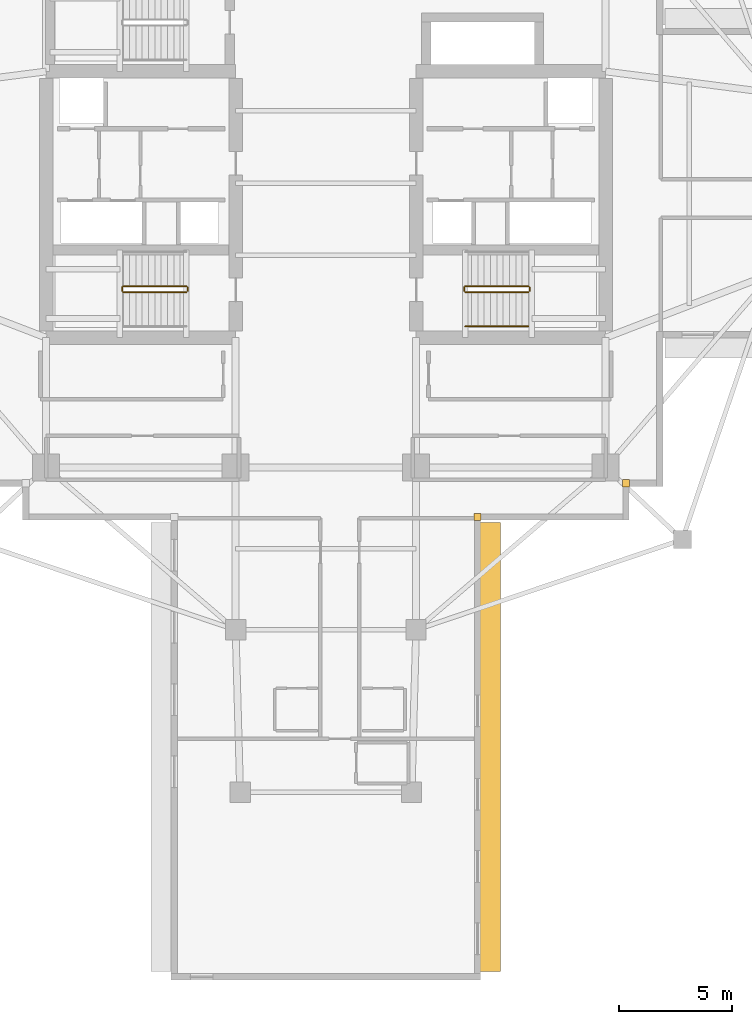
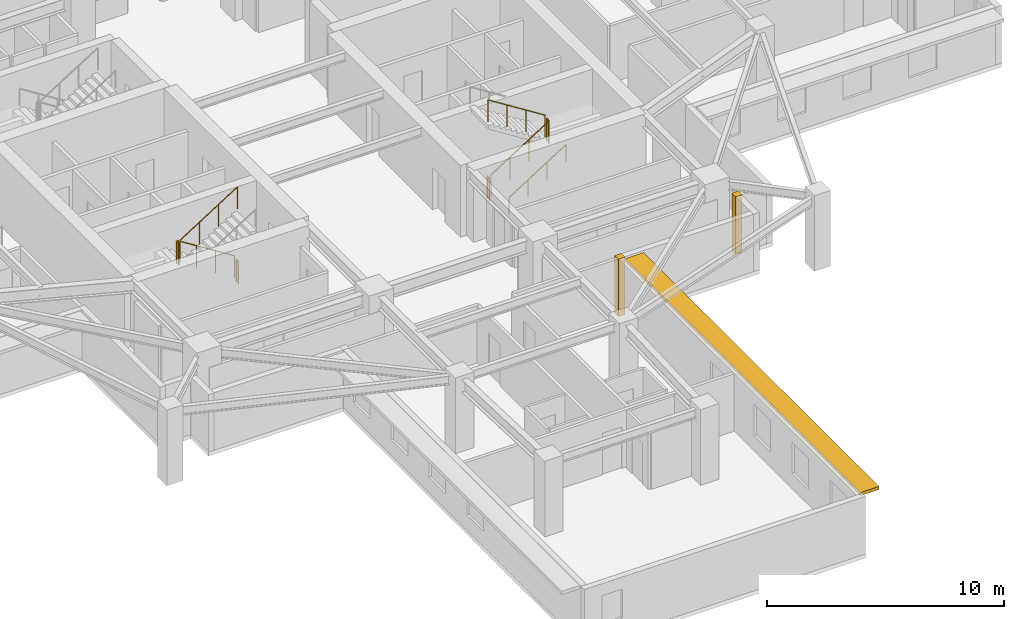
# One storey, part 10 of 13: 9 railings, 2 coverings, 1 shading device.
"""IFC4 building model written with IfcOpenShell, lengths in metres."""

from ifc_helpers import new_model, si_unit, direction, frame, origin, origin_2d, place, context, subcontext, project, spatial, rectangle, circle, extrude, material, layer, layer_set, type_object, element, save


model = new_model("IFC4")

# Units and contexts
model_context = context("Model", 3, precision=1e-05, world=origin(), true_north=direction((0.0, 1.0)))
body_context = subcontext(model_context, "Body", "Model", "MODEL_VIEW")
ifc_project = project(units=[si_unit("LENGTHUNIT", "METRE"), si_unit("AREAUNIT", "SQUARE_METRE"), si_unit("VOLUMEUNIT", "CUBIC_METRE"), si_unit("PLANEANGLEUNIT", "RADIAN"), si_unit("MASSUNIT", "GRAM", prefix="KILO")], contexts=[model_context])

# Site, building, storey
site_placement = place(None, origin())
site = spatial("IfcSite", under=ifc_project, at=site_placement, CompositionType="ELEMENT")
building_placement = place(site_placement, origin())
building = spatial("IfcBuilding", under=site, at=building_placement, Name="Qingluan Cross Belvedere", CompositionType="ELEMENT")
storey_placement = place(building_placement, frame((0.0, 0.0, 183.89990234375)))
storey = spatial("IfcBuildingStorey", under=building, at=storey_placement, Name="L46", CompositionType="ELEMENT", Elevation=183.89990234375)

# Coverings
ifc_material_1 = material(Name="Precast concrete C45", Category="concrete")
ifc_layer_1 = layer(ifc_material_1, 0.1201171875, Name="ConcreteSpandrelCladding_120")
ifc_layer_set_1 = layer_set([ifc_layer_1], Name="Precast concrete C45")
covering_type = type_object("IfcCoveringType", Name="ConcreteSpandrelCladding_120", PredefinedType="CLADDING", material=ifc_layer_set_1)
for number, where, z_axis, x_axis, name in (
    (1, (13.300048828125, -13.300048828125, 0.0), (0.0, 0.0, 1.0), (1.0, 0.0, 0.0), "Corner closure L46-SE1"),
    (2, (6.719970703125, -14.800048828125, 0.0), (0.0, 0.0, 1.0), (1.0, 0.0, 0.0), "Corner closure L46-SE2"),
):
    element("IfcCovering", number, at=place(storey_placement, frame(where, z_axis=z_axis, x_axis=x_axis)), inside=storey, type_object=covering_type, Name=name, PredefinedType="CLADDING", context=body_context, shape_type="SweptSolid", body=[
        extrude(rectangle(XDim=0.320068359375, YDim=0.320068359375, at=origin_2d()), origin(), (0.0, 0.0, 1.0), 2.969970703125),
    ])

# Shading device
ifc_material_2 = material(Name="Precast concrete C45", Category="concrete")
ifc_layer_2 = layer(ifc_material_2, 0.159912109375, Name="ConcreteSunshadeBand_900")
ifc_layer_set_2 = layer_set([ifc_layer_2], Name="Precast concrete C45")
shading_device_type = type_object("IfcShadingDeviceType", Name="ConcreteSunshadeBand_900", PredefinedType="USERDEFINED", material=ifc_layer_set_2)
shading_device_placement = place(storey_placement, frame((7.2900390625, -24.989990234375, 2.7900390625), z_axis=(0.0, 0.0, 1.0), x_axis=(0.0, 1.0, 0.0)))
element("IfcShadingDevice", 3, at=shading_device_placement, inside=storey, type_object=shading_device_type, Name="Concrete SUNSHADE L46-SB", ObjectType="SUNSHADE", PredefinedType="USERDEFINED", context=body_context, shape_type="SweptSolid", body=[
    extrude(rectangle(XDim=19.89990234375, YDim=0.89990234375, at=origin_2d()), origin(), (0.0, 0.0, 1.0), 0.159912109375),
])

# Railings
ifc_material_3 = material(Name="Brushed stainless steel tubular handrail", Category="steel")
railing_type_1 = type_object("IfcRailingType", Name="StairPitchHandrail_900", PredefinedType="HANDRAIL", material=ifc_material_3)
railing_1_placement = place(storey_placement, frame((6.179931640625, -6.35009765625, 0.177490234375)))
element("IfcRailing", 4, at=railing_1_placement, inside=storey, type_object=railing_type_1, Name="L46 ST2 stair handrail 1", PredefinedType="HANDRAIL", context=body_context, shape_type="SweptSolid", body=[
    extrude(circle(Radius=0.02392578125, at=origin_2d()), frame((0.0, 0.0, 0.8759765625), z_axis=(0.844908973607, 0.0, 0.534910110503), x_axis=(0.0, 1.0, 0.0)), (0.0, 0.0, 1.0), 3.31396484375),
    extrude(circle(Radius=0.02099609375, at=origin_2d()), origin(), (0.0, 0.0, 1.0), 0.851806640625),
    extrude(circle(Radius=0.02099609375, at=origin_2d()), frame((0.933349609375, 0.0, 0.5908203125)), (0.0, 0.0, 1.0), 0.851806640625),
    extrude(circle(Radius=0.02099609375, at=origin_2d()), frame((1.86669921875, 0.0, 1.181884765625)), (0.0, 0.0, 1.0), 0.851806640625),
    extrude(circle(Radius=0.02099609375, at=origin_2d()), frame((2.800048828125, 0.0, 1.772705078125)), (0.0, 0.0, 1.0), 0.851806640625),
])
ifc_material_4 = material(Name="Painted steel stair well guard", Category="steel")
railing_type_2 = type_object("IfcRailingType", Name="StairWellGuard_1150", PredefinedType="BALUSTRADE", material=ifc_material_4)
railing_2_placement = place(storey_placement, frame((-6.179931640625, -4.570068359375, 0.177490234375)))
element("IfcRailing", 5, at=railing_2_placement, inside=storey, type_object=railing_type_2, Name="L46 ST1 stair guard 1", PredefinedType="BALUSTRADE", context=body_context, shape_type="SweptSolid", body=[
    extrude(circle(Radius=0.02392578125, at=origin_2d()), frame((0.0, 0.0, 1.1259765625), z_axis=(-0.844908973607, 0.0, 0.534910110503), x_axis=(0.0, -1.0, 0.0)), (0.0, 0.0, 1.0), 3.31396484375),
    extrude(circle(Radius=0.02099609375, at=origin_2d()), origin(), (0.0, 0.0, 1.0), 1.101806640625),
    extrude(circle(Radius=0.02099609375, at=origin_2d()), frame((-0.933349609375, 0.0, 0.5908203125)), (0.0, 0.0, 1.0), 1.101806640625),
    extrude(circle(Radius=0.02099609375, at=origin_2d()), frame((-1.86669921875, 0.0, 1.181884765625)), (0.0, 0.0, 1.0), 1.101806640625),
    extrude(circle(Radius=0.02099609375, at=origin_2d()), frame((-2.800048828125, 0.0, 1.772705078125)), (0.0, 0.0, 1.0), 1.101806640625),
])
railing_3_placement = place(storey_placement, frame((-9.030029296875, -4.6201171875, 1.9501953125)))
element("IfcRailing", 6, at=railing_3_placement, inside=storey, type_object=railing_type_2, Name="L46 ST1 stair guard 2", PredefinedType="BALUSTRADE", context=body_context, shape_type="SweptSolid", body=[
    extrude(circle(Radius=0.02392578125, at=origin_2d()), frame((0.0, 0.0, 1.1259765625), z_axis=(0.0, -1.0, 0.0), x_axis=(1.0, 0.0, 0.0)), (0.0, 0.0, 1.0), 0.159912109375),
    extrude(circle(Radius=0.02099609375, at=origin_2d()), origin(), (0.0, 0.0, 1.0), 1.101806640625),
    extrude(circle(Radius=0.02099609375, at=origin_2d()), frame((0.0, -0.159912109375, 0.0)), (0.0, 0.0, 1.0), 1.101806640625),
])
railing_4_placement = place(storey_placement, frame((-8.97998046875, -4.830078125, 2.12744140625)))
element("IfcRailing", 7, at=railing_4_placement, inside=storey, type_object=railing_type_2, Name="L46 ST1 stair guard 3", PredefinedType="BALUSTRADE", context=body_context, shape_type="SweptSolid", body=[
    extrude(circle(Radius=0.02392578125, at=origin_2d()), frame((0.0, 0.0, 1.1259765625), z_axis=(0.844908973607, 0.0, 0.534910110503), x_axis=(0.0, 1.0, 0.0)), (0.0, 0.0, 1.0), 3.31396484375),
    extrude(circle(Radius=0.02099609375, at=origin_2d()), origin(), (0.0, 0.0, 1.0), 1.101806640625),
    extrude(circle(Radius=0.02099609375, at=origin_2d()), frame((0.933349609375, 0.0, 0.5908203125)), (0.0, 0.0, 1.0), 1.101806640625),
    extrude(circle(Radius=0.02099609375, at=origin_2d()), frame((1.86669921875, 0.0, 1.181884765625)), (0.0, 0.0, 1.0), 1.101806640625),
    extrude(circle(Radius=0.02099609375, at=origin_2d()), frame((2.800048828125, 0.0, 1.772705078125)), (0.0, 0.0, 1.0), 1.101806640625),
])
railing_5_placement = place(storey_placement, frame((-6.1298828125, -4.6201171875, 0.0)))
element("IfcRailing", 8, at=railing_5_placement, inside=storey, type_object=railing_type_2, Name="L46 ST1 stair guard 4", PredefinedType="BALUSTRADE", context=body_context, shape_type="SweptSolid", body=[
    extrude(circle(Radius=0.02392578125, at=origin_2d()), frame((0.0, 0.0, 1.1259765625), z_axis=(0.0, -1.0, 0.0), x_axis=(1.0, 0.0, 0.0)), (0.0, 0.0, 1.0), 0.159912109375),
    extrude(circle(Radius=0.02099609375, at=origin_2d()), origin(), (0.0, 0.0, 1.0), 1.101806640625),
    extrude(circle(Radius=0.02099609375, at=origin_2d()), frame((0.0, -0.159912109375, 0.0)), (0.0, 0.0, 1.0), 1.101806640625),
])
railing_6_placement = place(storey_placement, frame((6.179931640625, -4.830078125, 0.177490234375)))
element("IfcRailing", 9, at=railing_6_placement, inside=storey, type_object=railing_type_2, Name="L46 ST2 stair guard 1", PredefinedType="BALUSTRADE", context=body_context, shape_type="SweptSolid", body=[
    extrude(circle(Radius=0.02392578125, at=origin_2d()), frame((0.0, 0.0, 1.1259765625), z_axis=(0.844908973607, 0.0, 0.534910110503), x_axis=(0.0, 1.0, 0.0)), (0.0, 0.0, 1.0), 3.31396484375),
    extrude(circle(Radius=0.02099609375, at=origin_2d()), origin(), (0.0, 0.0, 1.0), 1.101806640625),
    extrude(circle(Radius=0.02099609375, at=origin_2d()), frame((0.933349609375, 0.0, 0.5908203125)), (0.0, 0.0, 1.0), 1.101806640625),
    extrude(circle(Radius=0.02099609375, at=origin_2d()), frame((1.86669921875, 0.0, 1.181884765625)), (0.0, 0.0, 1.0), 1.101806640625),
    extrude(circle(Radius=0.02099609375, at=origin_2d()), frame((2.800048828125, 0.0, 1.772705078125)), (0.0, 0.0, 1.0), 1.101806640625),
])
railing_7_placement = place(storey_placement, frame((9.030029296875, -4.780029296875, 1.9501953125)))
element("IfcRailing", 10, at=railing_7_placement, inside=storey, type_object=railing_type_2, Name="L46 ST2 stair guard 2", PredefinedType="BALUSTRADE", context=body_context, shape_type="SweptSolid", body=[
    extrude(circle(Radius=0.02392578125, at=origin_2d()), frame((0.0, 0.0, 1.1259765625), z_axis=(0.0, 1.0, 0.0), x_axis=(-1.0, 0.0, 0.0)), (0.0, 0.0, 1.0), 0.159912109375),
    extrude(circle(Radius=0.02099609375, at=origin_2d()), origin(), (0.0, 0.0, 1.0), 1.101806640625),
    extrude(circle(Radius=0.02099609375, at=origin_2d()), frame((0.0, 0.159912109375, 0.0)), (0.0, 0.0, 1.0), 1.101806640625),
])
railing_8_placement = place(storey_placement, frame((8.97998046875, -4.570068359375, 2.12744140625)))
element("IfcRailing", 11, at=railing_8_placement, inside=storey, type_object=railing_type_2, Name="L46 ST2 stair guard 3", PredefinedType="BALUSTRADE", context=body_context, shape_type="SweptSolid", body=[
    extrude(circle(Radius=0.02392578125, at=origin_2d()), frame((0.0, 0.0, 1.1259765625), z_axis=(-0.844908973607, 0.0, 0.534910110503), x_axis=(0.0, -1.0, 0.0)), (0.0, 0.0, 1.0), 3.31396484375),
    extrude(circle(Radius=0.02099609375, at=origin_2d()), origin(), (0.0, 0.0, 1.0), 1.101806640625),
    extrude(circle(Radius=0.02099609375, at=origin_2d()), frame((-0.933349609375, 0.0, 0.5908203125)), (0.0, 0.0, 1.0), 1.101806640625),
    extrude(circle(Radius=0.02099609375, at=origin_2d()), frame((-1.86669921875, 0.0, 1.181884765625)), (0.0, 0.0, 1.0), 1.101806640625),
    extrude(circle(Radius=0.02099609375, at=origin_2d()), frame((-2.800048828125, 0.0, 1.772705078125)), (0.0, 0.0, 1.0), 1.101806640625),
])
railing_9_placement = place(storey_placement, frame((6.1298828125, -4.780029296875, 0.0)))
element("IfcRailing", 12, at=railing_9_placement, inside=storey, type_object=railing_type_2, Name="L46 ST2 stair guard 4", PredefinedType="BALUSTRADE", context=body_context, shape_type="SweptSolid", body=[
    extrude(circle(Radius=0.02392578125, at=origin_2d()), frame((0.0, 0.0, 1.1259765625), z_axis=(0.0, 1.0, 0.0), x_axis=(-1.0, 0.0, 0.0)), (0.0, 0.0, 1.0), 0.159912109375),
    extrude(circle(Radius=0.02099609375, at=origin_2d()), origin(), (0.0, 0.0, 1.0), 1.101806640625),
    extrude(circle(Radius=0.02099609375, at=origin_2d()), frame((0.0, 0.159912109375, 0.0)), (0.0, 0.0, 1.0), 1.101806640625),
])

save(model, "model.ifc")
